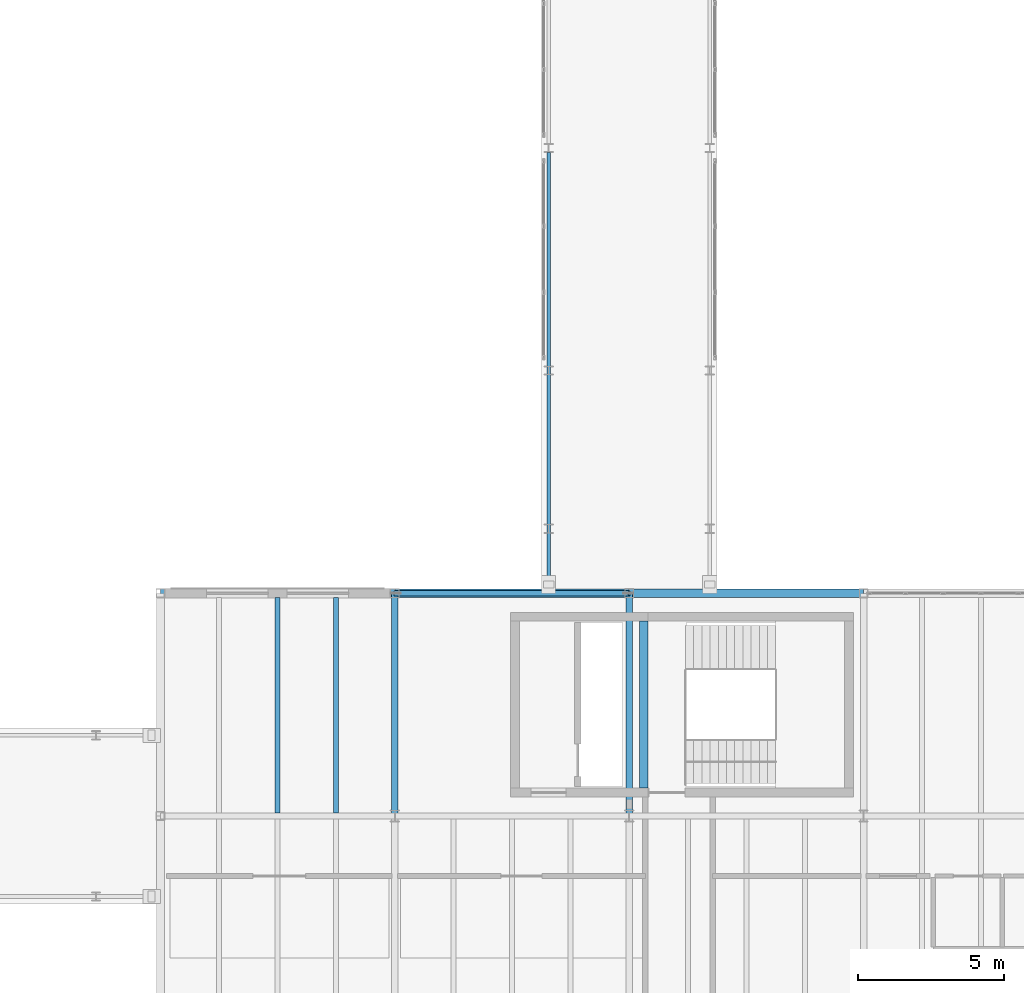
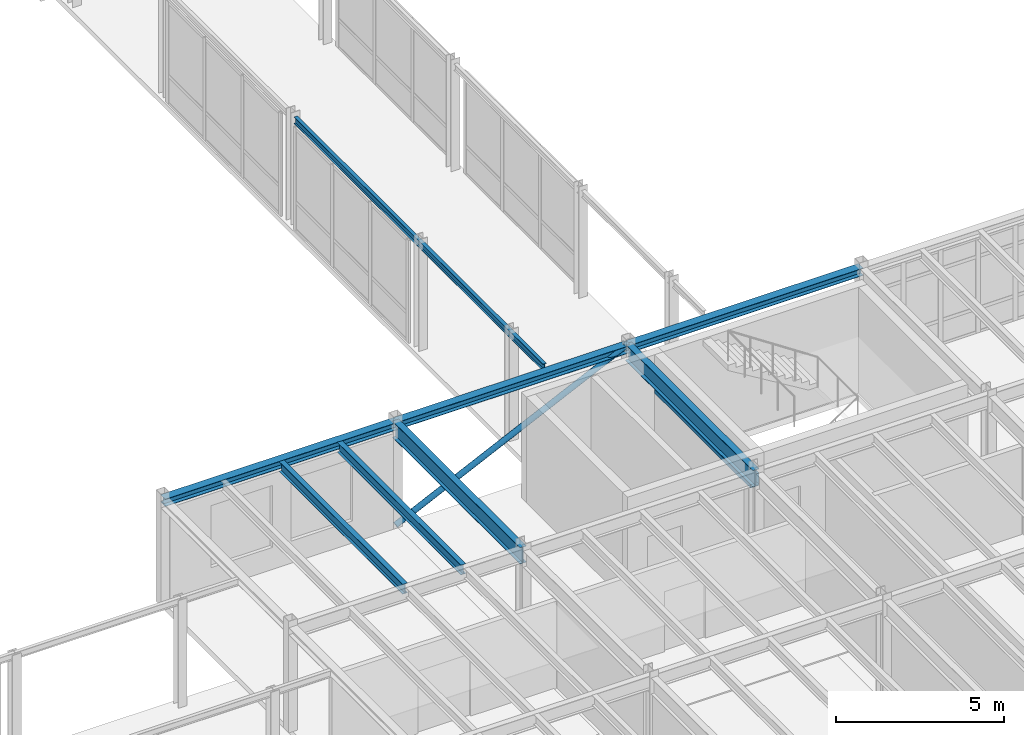
# One storey, part 105 of 165: 9 beams, 1 member.
"""IFC4 building model written with IfcOpenShell, lengths in metres."""

from ifc_helpers import new_model, si_unit, direction, frame, origin, origin_2d, place, context, subcontext, project, spatial, rectangle, hollow_circle, i_section, extrude, material, material_profile, profile_set, type_object, element, save


model = new_model("IFC4")

# Units and contexts
model_context = context("Model", 3, precision=1e-05, world=origin(), true_north=direction((0.0, 1.0)))
body_context = subcontext(model_context, "Body", "Model", "MODEL_VIEW")
ifc_project = project(units=[si_unit("LENGTHUNIT", "METRE"), si_unit("AREAUNIT", "SQUARE_METRE"), si_unit("VOLUMEUNIT", "CUBIC_METRE"), si_unit("PLANEANGLEUNIT", "RADIAN"), si_unit("MASSUNIT", "GRAM", prefix="KILO")], contexts=[model_context])

# Site, building, storey
site_placement = place(None, origin())
site = spatial("IfcSite", under=ifc_project, at=site_placement, CompositionType="ELEMENT")
building_placement = place(site_placement, origin())
building = spatial("IfcBuilding", under=site, at=building_placement, Name="Montecoro Central Library", CompositionType="ELEMENT")
storey_placement = place(building_placement, frame((0.0, 0.0, 5.10009765625)))
storey = spatial("IfcBuildingStorey", under=building, at=storey_placement, Name="L01", CompositionType="ELEMENT", Elevation=5.10009765625)

# Beams
ifc_material_1 = material(Name="Steel S355J2", Category="steel")
ifc_material_profile_1 = material_profile(ifc_material_1, i_section(OverallWidth=0.219970703125, OverallDepth=0.60009765625, WebThickness=0.011962890625, FlangeThickness=0.01904296875, at=origin_2d()), Name="IPE 600")
ifc_profile_set_1 = profile_set([ifc_material_profile_1], Name="Steel S355J2")
beam_type_1 = type_object("IfcBeamType", Name="BM-G-IPE600", PredefinedType="USERDEFINED", material=ifc_profile_set_1)
for number, where, z_axis, x_axis, name in (
    (1, (149.0, 35.405029296875, 3.52490234375), (0.0, 1.0, 0.0), (-1.0, 0.0, 0.0), "V6-L01-BY-19-EF"),
    (2, (157.0, 35.405029296875, 3.52490234375), (0.0, 1.0, 0.0), (-1.0, 0.0, 0.0), "V6-L01-BY-20-EF"),
):
    element("IfcBeam", number, at=place(storey_placement, frame(where, z_axis=z_axis, x_axis=x_axis)), inside=storey, type_object=beam_type_1, Name=name, ObjectType="GIRDER", PredefinedType="USERDEFINED", context=body_context, shape_type="SweptSolid", body=[
        extrude(i_section(OverallWidth=0.219970703125, OverallDepth=0.60009765625, WebThickness=0.011962890625, FlangeThickness=0.01904296875, at=origin_2d()), origin(), (0.0, 0.0, 1.0), 7.590087890625),
    ])
ifc_material_2 = material(Name="Steel S355", Category="steel")
ifc_material_profile_2 = material_profile(ifc_material_2, i_section(OverallWidth=0.169921875, OverallDepth=0.360107421875, WebThickness=0.008056640625, FlangeThickness=0.0126953125, at=origin_2d()), Name="IPE 360")
ifc_profile_set_2 = profile_set([ifc_material_profile_2], Name="Steel S355")
beam_type_2 = type_object("IfcBeamType", Name="BM-J-IPE360", PredefinedType="JOIST", material=ifc_profile_set_2)
for number, where, z_axis, x_axis, name in (
    (3, (145.0, 35.4970703125, 3.64501953125), (0.0, 1.0, 0.0), (-1.0, 0.0, 0.0), "V6-L01-JS-1819-EF-2"),
    (4, (147.0, 35.4970703125, 3.64501953125), (0.0, 1.0, 0.0), (-1.0, 0.0, 0.0), "V6-L01-JS-1819-EF-3"),
):
    element("IfcBeam", number, at=place(storey_placement, frame(where, z_axis=z_axis, x_axis=x_axis)), inside=storey, type_object=beam_type_2, Name=name, PredefinedType="JOIST", context=body_context, shape_type="SweptSolid", body=[
        extrude(i_section(OverallWidth=0.169921875, OverallDepth=0.360107421875, WebThickness=0.008056640625, FlangeThickness=0.0126953125, at=origin_2d()), origin(), (0.0, 0.0, 1.0), 7.365966796875),
    ])
ifc_material_3 = material(Name="Concrete C35/45", Category="concrete")
ifc_material_profile_3 = material_profile(ifc_material_3, rectangle(XDim=0.300048828125, YDim=0.449951171875, at=origin_2d()), Name="RC LNT 450x300")
ifc_profile_set_3 = profile_set([ifc_material_profile_3], Name="Concrete C35/45")
beam_type_3 = type_object("IfcBeamType", Name="BM-LN-RC02", PredefinedType="LINTEL", material=ifc_profile_set_3)
beam_1_placement = place(storey_placement, frame((157.5, 36.35009765625, 2.6748046875), z_axis=(0.0, 1.0, 0.0), x_axis=(-1.0, 0.0, 0.0)))
element("IfcBeam", 5, at=beam_1_placement, inside=storey, type_object=beam_type_3, Name="C7-L01-LNT", PredefinedType="LINTEL", context=body_context, shape_type="SweptSolid", body=[
    extrude(rectangle(XDim=0.300048828125, YDim=0.449951171875, at=origin_2d()), origin(), (0.0, 0.0, 1.0), 5.699951171875),
])
ifc_material_profile_4 = material_profile(ifc_material_2, i_section(OverallWidth=0.280029296875, OverallDepth=0.27001953125, WebThickness=0.008056640625, FlangeThickness=0.012939453125, at=origin_2d()), Name="HEA 280")
ifc_profile_set_4 = profile_set([ifc_material_profile_4], Name="Steel S355")
beam_type_4 = type_object("IfcBeamType", Name="BM-SP-HEA280", PredefinedType="SPANDREL", material=ifc_profile_set_4)
for number, where, z_axis, x_axis, name in (
    (6, (141.0048828125, 43.0, 3.68994140625), (1.0, 0.0, 0.0), (0.0, 1.0, 0.0), "V6-L01-BX-1819-F"),
    (7, (149.0048828125, 43.0, 3.68994140625), (1.0, 0.0, 0.0), (0.0, 1.0, 0.0), "V6-L01-BX-1920-F"),
    (8, (157.0048828125, 43.0, 3.68994140625), (1.0, 0.0, 0.0), (0.0, 1.0, 0.0), "V6-L01-BX-2021-F"),
):
    element("IfcBeam", number, at=place(storey_placement, frame(where, z_axis=z_axis, x_axis=x_axis)), inside=storey, type_object=beam_type_4, Name=name, PredefinedType="SPANDREL", context=body_context, shape_type="SweptSolid", body=[
        extrude(i_section(OverallWidth=0.280029296875, OverallDepth=0.27001953125, WebThickness=0.008056640625, FlangeThickness=0.012939453125, at=origin_2d()), origin(), (0.0, 0.0, 1.0), 7.990234375),
    ])
ifc_material_profile_5 = material_profile(ifc_material_2, i_section(OverallWidth=0.1201171875, OverallDepth=0.239990234375, WebThickness=0.006103515625, FlangeThickness=0.009765625, at=origin_2d()), Name="IPE 240")
ifc_profile_set_5 = profile_set([ifc_material_profile_5], Name="Steel S355")
beam_type_5 = type_object("IfcBeamType", Name="BM-SP-IPE240", PredefinedType="SPANDREL", material=ifc_profile_set_5)
beam_2_placement = place(storey_placement, frame((154.25, 43.219970703125, 3.77490234375), z_axis=(0.0, 1.0, 0.0), x_axis=(-1.0, 0.0, 0.0)))
element("IfcBeam", 9, at=beam_2_placement, inside=storey, type_object=beam_type_5, Name="BR-E-L02-BM-W1", PredefinedType="SPANDREL", context=body_context, shape_type="SweptSolid", body=[
    extrude(i_section(OverallWidth=0.1201171875, OverallDepth=0.239990234375, WebThickness=0.006103515625, FlangeThickness=0.009765625, at=origin_2d()), origin(), (0.0, 0.0, 1.0), 14.820068359375),
])

# Member
ifc_material_profile_6 = material_profile(ifc_material_2, hollow_circle(Radius=0.096923828125, WallThickness=0.008056640625, at=origin_2d()), Name="CHS 193.7x8.0")
ifc_profile_set_6 = profile_set([ifc_material_profile_6], Name="Steel S355")
member_type = type_object("IfcMemberType", Name="MB-BR-CHS194", PredefinedType="BRACE", material=ifc_profile_set_6)
member_placement = place(storey_placement, frame((149.0, 43.0, 0.010009765625), z_axis=(0.903499651379, 0.0, 0.428588823884), x_axis=(0.0, 1.0, 0.0)))
element("IfcMember", 10, at=member_placement, inside=storey, type_object=member_type, Name="V6-L01-BRN1", PredefinedType="BRACE", context=body_context, shape_type="SweptSolid", body=[
    extrude(hollow_circle(Radius=0.096923828125, WallThickness=0.008056640625, at=origin_2d()), origin(), (0.0, 0.0, 1.0), 8.8544921875),
])

save(model, "model.ifc")
